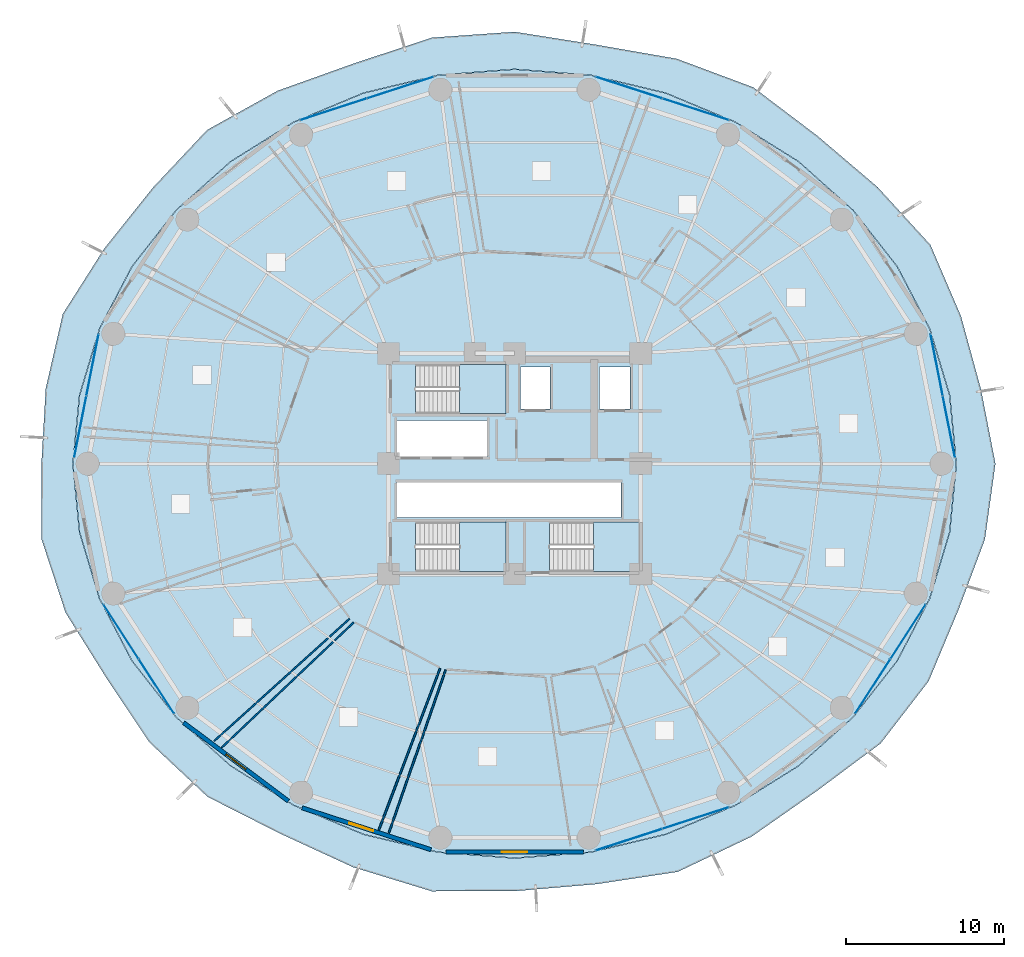
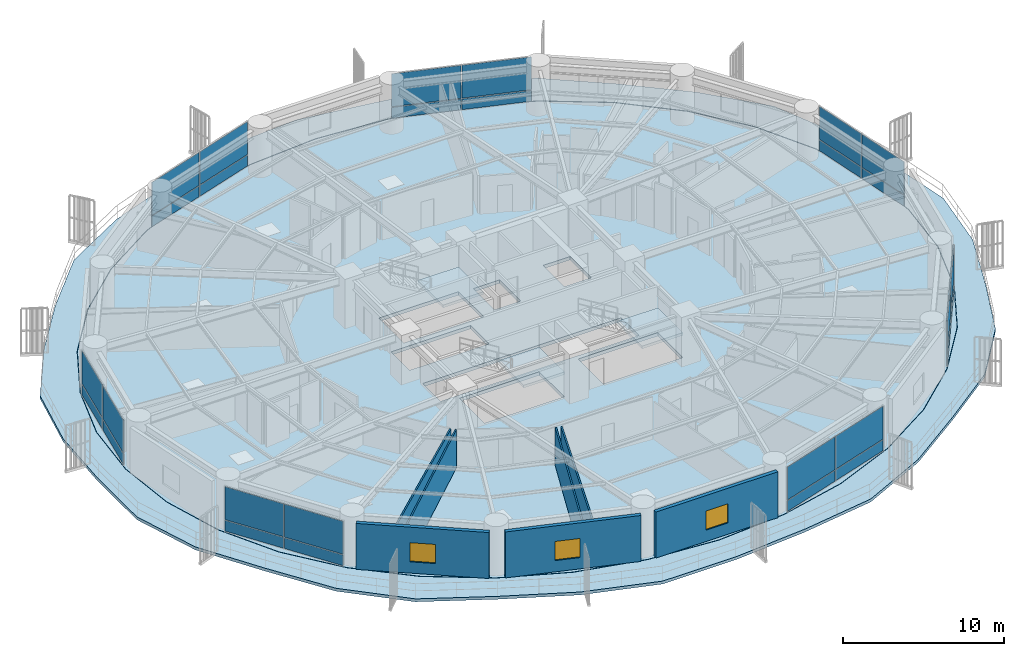
# One storey, part 22 of 32: 28 plates, 7 walls, 5 slabs, 3 windows, 3 openings, 10 elements without a shape of their own.
"""IFC4 building model written with IfcOpenShell, lengths in metres."""

import ifcopenshell
import ifcopenshell.guid

model = None  # the IFC model being written
_history = None  # IfcOwnerHistory: only IFC2X3 demands one
_inside = {}  # id of a spatial element -> (the spatial element, [elements in it])
_under = {}  # id of a project, library or spatial element -> (it, [spatial elements below it])
_declared = {}  # id of a project -> (the project, [libraries it declares])
_typed = {}  # id of a type object -> (the type object, [elements of that type])
_made_of = {}  # id of a material, layer set ... -> (it, [elements and type objects made of it])


def new_model(schema):
    """Start an empty IFC model of exactly this schema.

    Asked for "IFC4X3", IfcOpenShell would pick the latest addendum, in which some entities
    have other attributes; the version numbers below select the first issue.
    IFC2X3 requires an IfcOwnerHistory on every rooted entity: one is made here for all.
    """
    global model, _history
    if schema == "IFC4X3":
        model = ifcopenshell.file(schema_version=(4, 3, 0, 0))
    else:
        model = ifcopenshell.file(schema=schema)
    _inside.clear()
    _under.clear()
    _declared.clear()
    _typed.clear()
    _made_of.clear()
    _history = None
    if model.schema == "IFC2X3":
        org = make("IfcOrganization", Name="unknown")
        user = make(
            "IfcPersonAndOrganization",
            ThePerson=make("IfcPerson", FamilyName="unknown"),
            TheOrganization=org,
        )
        app = make(
            "IfcApplication",
            ApplicationDeveloper=org,
            Version="unknown",
            ApplicationFullName="unknown",
            ApplicationIdentifier="unknown",
        )
        _history = make(
            "IfcOwnerHistory",
            OwningUser=user,
            OwningApplication=app,
            ChangeAction="ADDED",
            CreationDate=0,
        )
    return model


def make(cls, **values):
    """One entity of the class cls with the attributes given. An attribute that is None is left unset."""
    return model.create_entity(
        cls, **{name: value for name, value in values.items() if value is not None}
    )


def rooted(cls, **values):
    """An entity with a GlobalId (a new one), such as an element, a storey or a relation."""
    return make(cls, GlobalId=ifcopenshell.guid.new(), OwnerHistory=_history, **values)


def si_unit(unit_type, name, prefix=None):
    """IfcSIUnit, for example si_unit("LENGTHUNIT", "METRE", prefix="MILLI")."""
    return make("IfcSIUnit", UnitType=unit_type, Prefix=prefix, Name=name)


def assignment(units):
    """IfcUnitAssignment: the units of a project."""
    return None if units is None else make("IfcUnitAssignment", Units=units)


def point(xyz):
    """IfcCartesianPoint."""
    return None if xyz is None else make("IfcCartesianPoint", Coordinates=xyz)


def direction(xyz):
    """IfcDirection."""
    return None if xyz is None else make("IfcDirection", DirectionRatios=xyz)


def frame(location, z_axis=None, x_axis=None):
    """IfcAxis2Placement3D, a coordinate frame: its origin and axes. An axis left out is left unset."""
    return make(
        "IfcAxis2Placement3D",
        Location=point(location),
        Axis=direction(z_axis),
        RefDirection=direction(x_axis),
    )


def frame_2d(location, x_axis=None):
    """IfcAxis2Placement2D, a coordinate frame in the plane: its origin and x axis."""
    return make(
        "IfcAxis2Placement2D", Location=point(location), RefDirection=direction(x_axis)
    )


def origin():
    """The frame at (0, 0, 0) with its axes left unset."""
    return frame((0.0, 0.0, 0.0))


def origin_2d():
    """The frame at (0, 0) in the plane with its x axis left unset."""
    return frame_2d((0.0, 0.0))


def place(relative_to, where):
    """IfcLocalPlacement: puts the frame where relative to a parent placement (None: the world)."""
    return make(
        "IfcLocalPlacement", PlacementRelTo=relative_to, RelativePlacement=where
    )


def context(
    kind, dimensions, precision=None, world=None, true_north=None, identifier=None
):
    """IfcGeometricRepresentationContext, for example the 3D "Model" context."""
    return make(
        "IfcGeometricRepresentationContext",
        ContextIdentifier=identifier,
        ContextType=kind,
        CoordinateSpaceDimension=dimensions,
        Precision=precision,
        WorldCoordinateSystem=world,
        TrueNorth=true_north,
    )


def subcontext(parent, identifier, kind, view, scale=None):
    """IfcGeometricRepresentationSubContext, for example "Body" below "Model"."""
    return make(
        "IfcGeometricRepresentationSubContext",
        ContextIdentifier=identifier,
        ContextType=kind,
        ParentContext=parent,
        TargetScale=scale,
        TargetView=view,
    )


def project(units=None, contexts=None):
    """IfcProject with its units and contexts."""
    return rooted(
        "IfcProject",
        Name="project",
        RepresentationContexts=contexts,
        UnitsInContext=assignment(units),
    )


def spatial(cls, under=None, at=None, **own):
    """A site, building, storey or space (cls), placed at a placement, below another one or the project."""
    s = rooted(cls, ObjectPlacement=at, **own)
    if under is not None:
        _under.setdefault(under.id(), (under, []))[1].append(s)
    return s


def polyline(points):
    """IfcPolyline through the points."""
    return make("IfcPolyline", Points=[point(p) for p in points])


def profile(cls, at=None, kind="AREA", **sizes):
    """A parametric profile (cls). Its sizes go by their IFC names, for example OverallWidth=200.0."""
    return make(cls, ProfileType=kind, Position=at, **sizes)


def rectangle(**sizes):
    """IfcRectangleProfileDef."""
    return profile("IfcRectangleProfileDef", **sizes)


def outline(outer, holes=None, kind="AREA"):
    """IfcArbitraryClosedProfileDef: a profile drawn as a closed curve; with holes, ...WithVoids."""
    if holes is None:
        return make("IfcArbitraryClosedProfileDef", ProfileType=kind, OuterCurve=outer)
    return make(
        "IfcArbitraryProfileDefWithVoids",
        ProfileType=kind,
        OuterCurve=outer,
        InnerCurves=holes,
    )


def extrude(swept, where, along, depth):
    """IfcExtrudedAreaSolid: the profile swept, set in the frame where, extruded along a direction by depth."""
    return make(
        "IfcExtrudedAreaSolid",
        SweptArea=swept,
        Position=where,
        ExtrudedDirection=direction(along),
        Depth=depth,
    )


def shape(context_of_items, identifier, shape_type, items):
    """IfcShapeRepresentation: the items that make up one representation, for example the "Body"."""
    return make(
        "IfcShapeRepresentation",
        ContextOfItems=context_of_items,
        RepresentationIdentifier=identifier,
        RepresentationType=shape_type,
        Items=items,
    )


def source(mapping_origin, context_of_items, identifier, shape_type, items):
    """IfcRepresentationMap: a shape defined once, which mapped items show again and again."""
    return make(
        "IfcRepresentationMap",
        MappingOrigin=mapping_origin,
        MappedRepresentation=shape(context_of_items, identifier, shape_type, items),
    )


def transform(
    local_origin,
    x_axis=None,
    y_axis=None,
    z_axis=None,
    scale=None,
    scale2=None,
    scale3=None,
    uniform=True,
):
    """IfcCartesianTransformationOperator3D, or its non-uniform kind. x_axis, y_axis, z_axis: its Axis1, 2, 3."""
    if uniform:
        return make(
            "IfcCartesianTransformationOperator3D",
            Axis1=direction(x_axis),
            Axis2=direction(y_axis),
            LocalOrigin=point(local_origin),
            Scale=scale,
            Axis3=direction(z_axis),
        )
    return make(
        "IfcCartesianTransformationOperator3DnonUniform",
        Axis1=direction(x_axis),
        Axis2=direction(y_axis),
        LocalOrigin=point(local_origin),
        Scale=scale,
        Axis3=direction(z_axis),
        Scale2=scale2,
        Scale3=scale3,
    )


def mapped(mapping_source, mapping_target):
    """IfcMappedItem: shows the shape of a source again, moved by a transform."""
    return make(
        "IfcMappedItem", MappingSource=mapping_source, MappingTarget=mapping_target
    )


def material(Name=None, Category=None):
    """IfcMaterial."""
    return make("IfcMaterial", Name=Name, Category=Category)


def layer(
    of_material, thickness, ventilated=None, Name=None, Category=None, Priority=None
):
    """IfcMaterialLayer: one layer of a wall or slab, of a material (None: an air gap)."""
    return make(
        "IfcMaterialLayer",
        Material=of_material,
        LayerThickness=thickness,
        IsVentilated=ventilated,
        Name=Name,
        Category=Category,
        Priority=Priority,
    )


def layer_set(layers, Name=None):
    """IfcMaterialLayerSet."""
    return make("IfcMaterialLayerSet", MaterialLayers=layers, LayerSetName=Name)


def made_of(thing, what):
    """Note that an element or type object is made of a material, layer set ...; save() writes the relation."""
    if what is not None:
        _made_of.setdefault(what.id(), (what, []))[1].append(thing)
    return thing


def type_object(cls, material=None, **own):
    """A type object (cls), such as IfcWallType, which elements share."""
    return made_of(rooted(cls, **own), material)


def element(
    cls,
    number,
    at=None,
    inside=None,
    cuts=None,
    type_object=None,
    material=None,
    context=None,
    identifier="Body",
    shape_type=None,
    held_by="IfcProductDefinitionShape",
    body=None,
    shapes=None,
    **own,
):
    """One element of the class cls, such as IfcWall. Its Tag is "e" and its number.

    at: its placement. inside: the storey or other place that contains it. cuts: it is an
    opening in that element (IfcRelVoidsElement). A single representation is given by context,
    identifier, shape_type and body (its items); several are given by shapes. held_by: the class
    of the entity that holds the representations. save() writes the other relations.
    """
    e = rooted(cls, Tag="e%d" % number, ObjectPlacement=at, **own)
    if body is not None:
        shapes = [shape(context, identifier, shape_type, body)]
    if shapes is not None:
        e.Representation = make(held_by, Representations=shapes)
    if inside is not None:
        _inside.setdefault(inside.id(), (inside, []))[1].append(e)
    if cuts is not None:
        rooted(
            "IfcRelVoidsElement", RelatingBuildingElement=cuts, RelatedOpeningElement=e
        )
    if type_object is not None:
        _typed.setdefault(type_object.id(), (type_object, []))[1].append(e)
    return made_of(e, material)


def fill(opening, filler):
    """IfcRelFillsElement: the door or window that sits in an opening."""
    return rooted(
        "IfcRelFillsElement",
        RelatingOpeningElement=opening,
        RelatedBuildingElement=filler,
    )


def aggregate(whole, parts):
    """IfcRelAggregates: a whole, such as a stair, and the parts it consists of."""
    return rooted("IfcRelAggregates", RelatingObject=whole, RelatedObjects=parts)


def save(model, path):
    """Write the relations noted so far, then the file.

    IfcRelAggregates (storeys below a building ...), IfcRelContainedInSpatialStructure (elements
    in a storey), IfcRelDefinesByType, IfcRelAssociatesMaterial and IfcRelDeclares: one each for
    every whole, place, type object, material and project.
    """
    for whole, parts in _under.values():
        aggregate(whole, parts)
    for where, things in _inside.values():
        rooted(
            "IfcRelContainedInSpatialStructure",
            RelatedElements=things,
            RelatingStructure=where,
        )
    for kind, things in _typed.values():
        rooted("IfcRelDefinesByType", RelatedObjects=things, RelatingType=kind)
    for what, things in _made_of.values():
        rooted("IfcRelAssociatesMaterial", RelatedObjects=things, RelatingMaterial=what)
    for by, libraries in _declared.values():
        rooted("IfcRelDeclares", RelatingContext=by, RelatedDefinitions=libraries)
    model.write(path)


model = new_model("IFC4")

# Units and contexts
model_context = context("Model", 3, precision=1e-05, world=origin(), true_north=direction((0.0, 1.0)))
body_context = subcontext(model_context, "Body", "Model", "MODEL_VIEW")
ifc_project = project(units=[si_unit("LENGTHUNIT", "METRE"), si_unit("AREAUNIT", "SQUARE_METRE"), si_unit("VOLUMEUNIT", "CUBIC_METRE"), si_unit("PLANEANGLEUNIT", "RADIAN"), si_unit("MASSUNIT", "GRAM", prefix="KILO")], contexts=[model_context])

# Site, building, storey
site_placement = place(None, origin())
site = spatial("IfcSite", under=ifc_project, at=site_placement, CompositionType="ELEMENT")
building_placement = place(site_placement, origin())
building = spatial("IfcBuilding", under=site, at=building_placement, Name="Kelanora Arch Commons", CompositionType="ELEMENT")
storey_placement = place(building_placement, frame((0.0, 0.0, 60.0)))
storey = spatial("IfcBuildingStorey", under=building, at=storey_placement, Name="L15", CompositionType="ELEMENT", Elevation=60.0)

# Stair, slab
ifc_material_1 = material(Name="Concrete C40/50", Category="concrete")
stair_type = type_object("IfcStairType", Name="STR-DL-375", PredefinedType="HALF_TURN_STAIR", material=ifc_material_1)
stair_1_placement = place(storey_placement, origin())
stair_1 = element("IfcStair", 1, at=stair_1_placement, inside=storey, type_object=stair_type, Name="L15 ST-T1", PredefinedType="HALF_TURN_STAIR")
ifc_layer_1 = layer(ifc_material_1, 0.199951171875)
ifc_layer_set_1 = layer_set([ifc_layer_1], Name="Concrete C40/50")
slab_type_1 = type_object("IfcSlabType", Name="SLB-STAIR-LND", PredefinedType="LANDING", material=ifc_layer_set_1)
slab_1_placement = place(storey_placement, frame((0.0, 0.0, 1.675048828125)))
slab_1 = element("IfcSlab", 2, at=slab_1_placement, type_object=slab_type_1, Name="ST-T1 landing 1", PredefinedType="LANDING", context=body_context, shape_type="SweptSolid", body=[
    extrude(outline(polyline([(70.52001953125, 61.179931640625), (73.43994140625, 61.179931640625), (73.43994140625, 64.2900390625), (70.52001953125, 64.2900390625), (70.52001953125, 61.179931640625)])), origin(), (0.0, 0.0, 1.0), 0.199951171875),
])
aggregate(stair_1, [slab_1])

stair_2_placement = place(storey_placement, origin())
stair_2 = element("IfcStair", 3, at=stair_2_placement, inside=storey, type_object=stair_type, Name="L15 ST-T2", PredefinedType="HALF_TURN_STAIR")
slab_2_placement = place(storey_placement, frame((0.0, 0.0, 1.675048828125)))
slab_2 = element("IfcSlab", 4, at=slab_2_placement, type_object=slab_type_1, Name="ST-T2 landing 1", PredefinedType="LANDING", context=body_context, shape_type="SweptSolid", body=[
    extrude(outline(polyline([(79.0, 51.179931640625), (81.919921875, 51.179931640625), (81.919921875, 54.2900390625), (79.0, 54.2900390625), (79.0, 51.179931640625)])), origin(), (0.0, 0.0, 1.0), 0.199951171875),
])
aggregate(stair_2, [slab_2])

stair_3_placement = place(storey_placement, origin())
stair_3 = element("IfcStair", 5, at=stair_3_placement, inside=storey, type_object=stair_type, Name="L15 ST-T3", PredefinedType="HALF_TURN_STAIR")
slab_3_placement = place(storey_placement, frame((0.0, 0.0, 1.675048828125)))
slab_3 = element("IfcSlab", 6, at=slab_3_placement, type_object=slab_type_1, Name="ST-T3 landing 1", PredefinedType="LANDING", context=body_context, shape_type="SweptSolid", body=[
    extrude(outline(polyline([(70.52001953125, 51.179931640625), (73.43994140625, 51.179931640625), (73.43994140625, 54.2900390625), (70.52001953125, 54.2900390625), (70.52001953125, 51.179931640625)])), origin(), (0.0, 0.0, 1.0), 0.199951171875),
])
aggregate(stair_3, [slab_3])

# Slabs
ifc_layer_2 = layer(ifc_material_1, 0.260009765625)
ifc_layer_set_2 = layer_set([ifc_layer_2], Name="Concrete C40/50")
slab_type_2 = type_object("IfcSlabType", Name="SLB-TWR-TYP", PredefinedType="FLOOR", material=ifc_layer_set_2)
slab_4_placement = place(storey_placement, frame((0.0, 0.0, -0.260009765625)))
element("IfcSlab", 7, at=slab_4_placement, inside=storey, type_object=slab_type_2, Name="Tower Floor Slab L15", PredefinedType="FLOOR", context=body_context, shape_type="SweptSolid", body=[
    extrude(outline(polyline([(102.0, 58.0), (101.57470703125, 62.34130859375), (100.311279296875, 66.550537109375), (98.248779296875, 70.5), (95.44921875, 74.069580078125), (91.998046875, 77.151123046875), (88.0, 79.650634765625), (83.57666015625, 81.4921875), (78.862060546875, 82.6201171875), (74.0, 83.0), (69.137939453125, 82.6201171875), (64.42333984375, 81.4921875), (60.0, 79.650634765625), (56.001953125, 77.151123046875), (52.55078125, 74.069580078125), (49.751220703125, 70.5), (47.688720703125, 66.550537109375), (46.42529296875, 62.34130859375), (46.0, 58.0), (46.42529296875, 53.65869140625), (47.688720703125, 49.449462890625), (49.751220703125, 45.5), (52.55078125, 41.930419921875), (56.001953125, 38.848876953125), (60.0, 36.349365234375), (64.42333984375, 34.5078125), (69.137939453125, 33.3798828125), (74.0, 33.0), (78.862060546875, 33.3798828125), (83.57666015625, 34.5078125), (88.0, 36.349365234375), (91.998046875, 38.848876953125), (95.44921875, 41.930419921875), (98.248779296875, 45.5), (100.311279296875, 49.449462890625), (101.57470703125, 53.65869140625), (102.0, 58.0)]), holes=[polyline([(73.431884765625, 51.18798828125), (67.72802734375, 51.18798828125), (67.72802734375, 54.281982421875), (73.431884765625, 54.281982421875), (73.431884765625, 51.18798828125)]), polyline([(76.2080078125, 51.18798828125), (76.2080078125, 54.281982421875), (81.912109375, 54.281982421875), (81.912109375, 51.18798828125), (76.2080078125, 51.18798828125)]), polyline([(66.550048828125, 54.60009765625), (66.550048828125, 56.800048828125), (80.75, 56.800048828125), (80.75, 54.60009765625), (66.550048828125, 54.60009765625)]), polyline([(66.550048828125, 58.449951171875), (66.550048828125, 60.75), (72.25, 60.75), (72.25, 58.449951171875), (66.550048828125, 58.449951171875)]), polyline([(67.72802734375, 61.18798828125), (67.72802734375, 64.281982421875), (73.431884765625, 64.281982421875), (73.431884765625, 61.18798828125), (67.72802734375, 61.18798828125)]), polyline([(74.3798828125, 61.47998046875), (74.3798828125, 64.1201171875), (76.260009765625, 64.1201171875), (76.260009765625, 61.47998046875), (74.3798828125, 61.47998046875)]), polyline([(79.3798828125, 61.47998046875), (79.3798828125, 64.1201171875), (81.320068359375, 64.1201171875), (81.320068359375, 61.47998046875), (79.3798828125, 61.47998046875)])]), origin(), (0.0, 0.0, 1.0), 0.260009765625),
])
ifc_layer_3 = layer(ifc_material_1, 0.219970703125)
ifc_layer_set_3 = layer_set([ifc_layer_3], Name="Concrete C40/50")
slab_type_3 = type_object("IfcSlabType", Name="SLB-WAVE-BAL", PredefinedType="FLOOR", material=ifc_layer_set_3)
slab_5_placement = place(storey_placement, frame((0.0, 0.0, -0.219970703125)))
element("IfcSlab", 8, at=slab_5_placement, inside=storey, type_object=slab_type_3, Name="Sinusoidal Wave Balcony Slab L15", PredefinedType="FLOOR", context=body_context, shape_type="SweptSolid", body=[
    extrude(outline(polyline([(104.487548828125, 58.0), (103.566650390625, 62.734619140625), (102.301513671875, 67.36181640625), (100.368896484375, 71.87109375), (97.015380859375, 75.54150390625), (93.215576171875, 78.776123046875), (89.139892578125, 81.861572265625), (84.285400390625, 83.673583984375), (79.16845703125, 84.5654296875), (74.0, 85.385009765625), (68.7607421875, 85.015625), (63.810791015625, 83.377197265625), (58.971435546875, 81.64599609375), (54.498046875, 79.158447265625), (51.0458984375, 75.48388671875), (47.983642578125, 71.64306640625), (45.3544921875, 67.502197265625), (44.2705078125, 62.7666015625), (43.99755859375, 58.0), (44.012451171875, 53.182373046875), (45.52099609375, 48.56591796875), (48.101318359375, 44.43310546875), (50.844970703125, 40.327392578125), (54.52734375, 36.880615234375), (59.08251953125, 34.5693359375), (63.74462890625, 32.418701171875), (68.745849609375, 30.8896484375), (74.0, 30.89501953125), (79.183349609375, 31.33984375), (84.351806640625, 32.122314453125), (89.028564453125, 34.35400390625), (93.186279296875, 37.2626953125), (97.21630859375, 40.26953125), (100.25146484375, 44.204833984375), (102.135009765625, 48.7060546875), (103.82470703125, 53.21435546875), (104.487548828125, 58.0)]), holes=[polyline([(101.59423828125, 53.6552734375), (100.330078125, 49.442626953125), (98.26611328125, 45.489990234375), (95.464599609375, 41.91748046875), (92.010986328125, 38.83349609375), (88.010009765625, 36.33203125), (83.58349609375, 34.489013671875), (78.865478515625, 33.360107421875), (74.0, 32.97998046875), (69.134521484375, 33.360107421875), (64.41650390625, 34.489013671875), (59.989990234375, 36.33203125), (55.989013671875, 38.83349609375), (52.535400390625, 41.91748046875), (49.73388671875, 45.489990234375), (47.669921875, 49.442626953125), (46.40576171875, 53.6552734375), (45.97998046875, 58.0), (46.40576171875, 62.3447265625), (47.669921875, 66.557373046875), (49.73388671875, 70.510009765625), (52.535400390625, 74.08251953125), (55.989013671875, 77.16650390625), (59.989990234375, 79.66796875), (64.41650390625, 81.510986328125), (69.134521484375, 82.639892578125), (74.0, 83.02001953125), (78.865478515625, 82.639892578125), (83.58349609375, 81.510986328125), (88.010009765625, 79.66796875), (92.010986328125, 77.16650390625), (95.464599609375, 74.08251953125), (98.26611328125, 70.510009765625), (100.330078125, 66.557373046875), (101.59423828125, 62.3447265625), (102.02001953125, 58.0), (101.59423828125, 53.6552734375)])]), origin(), (0.0, 0.0, 1.0), 0.219970703125),
])

# Curtain wall, plates
ifc_material_2 = material(Name="Terracotta ceramic-fritted low-E glass and aluminium", Category="masonry")
ifc_layer_4 = layer(ifc_material_2, 0.159912109375)
ifc_layer_set_4 = layer_set([ifc_layer_4], Name="Terracotta ceramic-fritted low-E glass and aluminium")
curtain_wall_type = type_object("IfcCurtainWallType", Name="CW-SYS-01", PredefinedType="NOTDEFINED", material=ifc_layer_set_4)
curtain_wall_1_placement = place(storey_placement, origin())
curtain_wall_1 = element("IfcCurtainWall", 9, at=curtain_wall_1_placement, inside=storey, type_object=curtain_wall_type, Name="Unitised Curtain Wall L15-B00", PredefinedType="NOTDEFINED")
ifc_material_3 = material(Name="Terracotta ceramic-fritted double glazing", Category="masonry")
ifc_layer_5 = layer(ifc_material_3, 0.028076171875)
ifc_layer_set_5 = layer_set([ifc_layer_5], Name="Terracotta ceramic-fritted double glazing")
plate_type = type_object("IfcPlateType", Name="CWP-FRIT", PredefinedType="CURTAIN_PANEL", material=ifc_layer_set_5)
shared_shape_1 = source(origin(), body_context, "Body", "SweptSolid", [
    extrude(rectangle(XDim=3.9482421875, YDim=0.028076171875, at=origin_2d()), origin(), (0.0, 0.0, 1.0), 0.81005859375),
])
plate_1_placement = place(storey_placement, frame((101.536865234375, 60.34521484375, 0.06005859375), z_axis=(0.0, 0.0, 1.0), x_axis=(-0.193744048498, 0.981052110579, 0.0)))
plate_1 = element("IfcPlate", 10, at=plate_1_placement, type_object=plate_type, Name="CW-01 panel 1.1", PredefinedType="CURTAIN_PANEL", context=body_context, shape_type="MappedRepresentation", body=[
    mapped(shared_shape_1, transform((0.0, 0.0, 0.0), scale=1.0)),
])
plate_2_placement = place(storey_placement, frame((100.76025390625, 64.277587890625, 0.06005859375), z_axis=(0.0, 0.0, 1.0), x_axis=(-0.193744048498, 0.981052110579, 0.0)))
plate_2 = element("IfcPlate", 11, at=plate_2_placement, type_object=plate_type, Name="CW-01 panel 2.1", PredefinedType="CURTAIN_PANEL", context=body_context, shape_type="MappedRepresentation", body=[
    mapped(shared_shape_1, transform((0.0, 0.0, 0.0), scale=1.0)),
])

curtain_wall_2_placement = place(storey_placement, origin())
curtain_wall_2 = element("IfcCurtainWall", 12, at=curtain_wall_2_placement, inside=storey, type_object=curtain_wall_type, Name="Unitised Curtain Wall L15-B08", PredefinedType="NOTDEFINED")
plate_3_placement = place(storey_placement, frame((47.23974609375, 64.277587890625, 0.06005859375), z_axis=(0.0, 0.0, 1.0), x_axis=(-0.193744048498, -0.981052110579, 0.0)))
plate_3 = element("IfcPlate", 13, at=plate_3_placement, type_object=plate_type, Name="CW-01 panel 1.1", PredefinedType="CURTAIN_PANEL", context=body_context, shape_type="MappedRepresentation", body=[
    mapped(shared_shape_1, transform((0.0, 0.0, 0.0), scale=1.0)),
])
plate_4_placement = place(storey_placement, frame((46.463134765625, 60.34521484375, 0.06005859375), z_axis=(0.0, 0.0, 1.0), x_axis=(-0.193744048498, -0.981052110579, 0.0)))
plate_4 = element("IfcPlate", 14, at=plate_4_placement, type_object=plate_type, Name="CW-01 panel 2.1", PredefinedType="CURTAIN_PANEL", context=body_context, shape_type="MappedRepresentation", body=[
    mapped(shared_shape_1, transform((0.0, 0.0, 0.0), scale=1.0)),
])

# Plate
shared_shape_2 = source(origin(), body_context, "Body", "SweptSolid", [
    extrude(rectangle(XDim=3.9482421875, YDim=0.028076171875, at=origin_2d()), origin(), (0.0, 0.0, 1.0), 2.485107421875),
])
plate_5_placement = place(storey_placement, frame((101.536865234375, 60.34521484375, 0.93017578125), z_axis=(0.0, 0.0, 1.0), x_axis=(-0.193744048498, 0.981052110579, 0.0)))
plate_5 = element("IfcPlate", 15, at=plate_5_placement, type_object=plate_type, Name="CW-01 panel 1.2", PredefinedType="CURTAIN_PANEL", context=body_context, shape_type="MappedRepresentation", body=[
    mapped(shared_shape_2, transform((0.0, 0.0, 0.0), scale=1.0)),
])

plate_6_placement = place(storey_placement, frame((100.76025390625, 64.277587890625, 0.93017578125), z_axis=(0.0, 0.0, 1.0), x_axis=(-0.193744048498, 0.981052110579, 0.0)))
plate_6 = element("IfcPlate", 16, at=plate_6_placement, type_object=plate_type, Name="CW-01 panel 2.2", PredefinedType="CURTAIN_PANEL", context=body_context, shape_type="MappedRepresentation", body=[
    mapped(shared_shape_2, transform((0.0, 0.0, 0.0), scale=1.0)),
])

aggregate(curtain_wall_1, [plate_1, plate_5, plate_2, plate_6])

plate_7_placement = place(storey_placement, frame((47.23974609375, 64.277587890625, 0.93017578125), z_axis=(0.0, 0.0, 1.0), x_axis=(-0.193744048498, -0.981052110579, 0.0)))
plate_7 = element("IfcPlate", 17, at=plate_7_placement, type_object=plate_type, Name="CW-01 panel 1.2", PredefinedType="CURTAIN_PANEL", context=body_context, shape_type="MappedRepresentation", body=[
    mapped(shared_shape_2, transform((0.0, 0.0, 0.0), scale=1.0)),
])

plate_8_placement = place(storey_placement, frame((46.463134765625, 60.34521484375, 0.93017578125), z_axis=(0.0, 0.0, 1.0), x_axis=(-0.193744048498, -0.981052110579, 0.0)))
plate_8 = element("IfcPlate", 18, at=plate_8_placement, type_object=plate_type, Name="CW-01 panel 2.2", PredefinedType="CURTAIN_PANEL", context=body_context, shape_type="MappedRepresentation", body=[
    mapped(shared_shape_2, transform((0.0, 0.0, 0.0), scale=1.0)),
])

aggregate(curtain_wall_2, [plate_3, plate_7, plate_4, plate_8])

# Curtain wall, plates
curtain_wall_3_placement = place(storey_placement, origin())
curtain_wall_3 = element("IfcCurtainWall", 19, at=curtain_wall_3_placement, inside=storey, type_object=curtain_wall_type, Name="Unitised Curtain Wall L15-B03", PredefinedType="NOTDEFINED")
shared_shape_3 = source(origin(), body_context, "Body", "SweptSolid", [
    extrude(rectangle(XDim=4.39453125, YDim=0.028076171875, at=origin_2d()), origin(), (0.0, 0.0, 1.0), 0.81005859375),
])
plate_9_placement = place(storey_placement, frame((85.4892578125, 80.466552734375, 0.06005859375), z_axis=(0.0, 0.0, 1.0), x_axis=(-0.951043326793, 0.30905758454, 0.0)))
plate_9 = element("IfcPlate", 20, at=plate_9_placement, type_object=plate_type, Name="CW-01 panel 1.1", PredefinedType="CURTAIN_PANEL", context=body_context, shape_type="MappedRepresentation", body=[
    mapped(shared_shape_3, transform((0.0, 0.0, 0.0), scale=1.0)),
])
plate_10_placement = place(storey_placement, frame((81.252685546875, 81.84326171875, 0.06005859375), z_axis=(0.0, 0.0, 1.0), x_axis=(-0.951043326793, 0.30905758454, 0.0)))
plate_10 = element("IfcPlate", 21, at=plate_10_placement, type_object=plate_type, Name="CW-01 panel 2.1", PredefinedType="CURTAIN_PANEL", context=body_context, shape_type="MappedRepresentation", body=[
    mapped(shared_shape_3, transform((0.0, 0.0, 0.0), scale=1.0)),
])

curtain_wall_4_placement = place(storey_placement, origin())
curtain_wall_4 = element("IfcCurtainWall", 22, at=curtain_wall_4_placement, inside=storey, type_object=curtain_wall_type, Name="Unitised Curtain Wall L15-B05", PredefinedType="NOTDEFINED")
plate_11_placement = place(storey_placement, frame((66.747314453125, 81.84326171875, 0.06005859375), z_axis=(0.0, 0.0, 1.0), x_axis=(-0.951043326793, -0.30905758454, 0.0)))
plate_11 = element("IfcPlate", 23, at=plate_11_placement, type_object=plate_type, Name="CW-01 panel 1.1", PredefinedType="CURTAIN_PANEL", context=body_context, shape_type="MappedRepresentation", body=[
    mapped(shared_shape_3, transform((0.0, 0.0, 0.0), scale=1.0)),
])
plate_12_placement = place(storey_placement, frame((62.5107421875, 80.466552734375, 0.06005859375), z_axis=(0.0, 0.0, 1.0), x_axis=(-0.951043326793, -0.30905758454, 0.0)))
plate_12 = element("IfcPlate", 24, at=plate_12_placement, type_object=plate_type, Name="CW-01 panel 2.1", PredefinedType="CURTAIN_PANEL", context=body_context, shape_type="MappedRepresentation", body=[
    mapped(shared_shape_3, transform((0.0, 0.0, 0.0), scale=1.0)),
])

curtain_wall_5_placement = place(storey_placement, origin())
curtain_wall_5 = element("IfcCurtainWall", 25, at=curtain_wall_5_placement, inside=storey, type_object=curtain_wall_type, Name="Unitised Curtain Wall L15-B14", PredefinedType="NOTDEFINED")
plate_13_placement = place(storey_placement, frame((81.252685546875, 34.15673828125, 0.06005859375), z_axis=(0.0, 0.0, 1.0), x_axis=(0.951043326793, 0.30905758454, 0.0)))
plate_13 = element("IfcPlate", 26, at=plate_13_placement, type_object=plate_type, Name="CW-01 panel 1.1", PredefinedType="CURTAIN_PANEL", context=body_context, shape_type="MappedRepresentation", body=[
    mapped(shared_shape_3, transform((0.0, 0.0, 0.0), scale=1.0)),
])
plate_14_placement = place(storey_placement, frame((85.4892578125, 35.533447265625, 0.06005859375), z_axis=(0.0, 0.0, 1.0), x_axis=(0.951043326793, 0.30905758454, 0.0)))
plate_14 = element("IfcPlate", 27, at=plate_14_placement, type_object=plate_type, Name="CW-01 panel 2.1", PredefinedType="CURTAIN_PANEL", context=body_context, shape_type="MappedRepresentation", body=[
    mapped(shared_shape_3, transform((0.0, 0.0, 0.0), scale=1.0)),
])

# Plate
shared_shape_4 = source(origin(), body_context, "Body", "SweptSolid", [
    extrude(rectangle(XDim=4.39453125, YDim=0.028076171875, at=origin_2d()), origin(), (0.0, 0.0, 1.0), 2.485107421875),
])
plate_15_placement = place(storey_placement, frame((85.4892578125, 80.466552734375, 0.93017578125), z_axis=(0.0, 0.0, 1.0), x_axis=(-0.951043326793, 0.30905758454, 0.0)))
plate_15 = element("IfcPlate", 28, at=plate_15_placement, type_object=plate_type, Name="CW-01 panel 1.2", PredefinedType="CURTAIN_PANEL", context=body_context, shape_type="MappedRepresentation", body=[
    mapped(shared_shape_4, transform((0.0, 0.0, 0.0), scale=1.0)),
])

plate_16_placement = place(storey_placement, frame((81.252685546875, 81.84326171875, 0.93017578125), z_axis=(0.0, 0.0, 1.0), x_axis=(-0.951043326793, 0.30905758454, 0.0)))
plate_16 = element("IfcPlate", 29, at=plate_16_placement, type_object=plate_type, Name="CW-01 panel 2.2", PredefinedType="CURTAIN_PANEL", context=body_context, shape_type="MappedRepresentation", body=[
    mapped(shared_shape_4, transform((0.0, 0.0, 0.0), scale=1.0)),
])

aggregate(curtain_wall_3, [plate_9, plate_15, plate_10, plate_16])

plate_17_placement = place(storey_placement, frame((66.747314453125, 81.84326171875, 0.93017578125), z_axis=(0.0, 0.0, 1.0), x_axis=(-0.951043326793, -0.30905758454, 0.0)))
plate_17 = element("IfcPlate", 30, at=plate_17_placement, type_object=plate_type, Name="CW-01 panel 1.2", PredefinedType="CURTAIN_PANEL", context=body_context, shape_type="MappedRepresentation", body=[
    mapped(shared_shape_4, transform((0.0, 0.0, 0.0), scale=1.0)),
])

plate_18_placement = place(storey_placement, frame((62.5107421875, 80.466552734375, 0.93017578125), z_axis=(0.0, 0.0, 1.0), x_axis=(-0.951043326793, -0.30905758454, 0.0)))
plate_18 = element("IfcPlate", 31, at=plate_18_placement, type_object=plate_type, Name="CW-01 panel 2.2", PredefinedType="CURTAIN_PANEL", context=body_context, shape_type="MappedRepresentation", body=[
    mapped(shared_shape_4, transform((0.0, 0.0, 0.0), scale=1.0)),
])

aggregate(curtain_wall_4, [plate_11, plate_17, plate_12, plate_18])

plate_19_placement = place(storey_placement, frame((81.252685546875, 34.15673828125, 0.93017578125), z_axis=(0.0, 0.0, 1.0), x_axis=(0.951043326793, 0.30905758454, 0.0)))
plate_19 = element("IfcPlate", 32, at=plate_19_placement, type_object=plate_type, Name="CW-01 panel 1.2", PredefinedType="CURTAIN_PANEL", context=body_context, shape_type="MappedRepresentation", body=[
    mapped(shared_shape_4, transform((0.0, 0.0, 0.0), scale=1.0)),
])

plate_20_placement = place(storey_placement, frame((85.4892578125, 35.533447265625, 0.93017578125), z_axis=(0.0, 0.0, 1.0), x_axis=(0.951043326793, 0.30905758454, 0.0)))
plate_20 = element("IfcPlate", 33, at=plate_20_placement, type_object=plate_type, Name="CW-01 panel 2.2", PredefinedType="CURTAIN_PANEL", context=body_context, shape_type="MappedRepresentation", body=[
    mapped(shared_shape_4, transform((0.0, 0.0, 0.0), scale=1.0)),
])

aggregate(curtain_wall_5, [plate_13, plate_19, plate_14, plate_20])

# Curtain wall, plates
curtain_wall_6_placement = place(storey_placement, origin())
curtain_wall_6 = element("IfcCurtainWall", 34, at=curtain_wall_6_placement, inside=storey, type_object=curtain_wall_type, Name="Unitised Curtain Wall L15-B10", PredefinedType="NOTDEFINED")
shared_shape_5 = source(origin(), body_context, "Body", "SweptSolid", [
    extrude(rectangle(XDim=4.06787109375, YDim=0.028076171875, at=origin_2d()), origin(), (0.0, 0.0, 1.0), 0.81005859375),
])
plate_21_placement = place(storey_placement, frame((49.04833984375, 47.346435546875, 0.06005859375), z_axis=(0.0, 0.0, 1.0), x_axis=(0.543004441812, -0.83972982332, 0.0)))
plate_21 = element("IfcPlate", 35, at=plate_21_placement, type_object=plate_type, Name="CW-01 panel 1.1", PredefinedType="CURTAIN_PANEL", context=body_context, shape_type="MappedRepresentation", body=[
    mapped(shared_shape_5, transform((0.0, 0.0, 0.0), scale=1.0)),
])
plate_22_placement = place(storey_placement, frame((51.289794921875, 43.880126953125, 0.06005859375), z_axis=(0.0, 0.0, 1.0), x_axis=(0.543004441812, -0.83972982332, 0.0)))
plate_22 = element("IfcPlate", 36, at=plate_22_placement, type_object=plate_type, Name="CW-01 panel 2.1", PredefinedType="CURTAIN_PANEL", context=body_context, shape_type="MappedRepresentation", body=[
    mapped(shared_shape_5, transform((0.0, 0.0, 0.0), scale=1.0)),
])

curtain_wall_7_placement = place(storey_placement, origin())
curtain_wall_7 = element("IfcCurtainWall", 37, at=curtain_wall_7_placement, inside=storey, type_object=curtain_wall_type, Name="Unitised Curtain Wall L15-B16", PredefinedType="NOTDEFINED")
plate_23_placement = place(storey_placement, frame((96.710205078125, 43.880126953125, 0.06005859375), z_axis=(0.0, 0.0, 1.0), x_axis=(0.543004441812, 0.83972982332, 0.0)))
plate_23 = element("IfcPlate", 38, at=plate_23_placement, type_object=plate_type, Name="CW-01 panel 1.1", PredefinedType="CURTAIN_PANEL", context=body_context, shape_type="MappedRepresentation", body=[
    mapped(shared_shape_5, transform((0.0, 0.0, 0.0), scale=1.0)),
])
plate_24_placement = place(storey_placement, frame((98.95166015625, 47.346435546875, 0.06005859375), z_axis=(0.0, 0.0, 1.0), x_axis=(0.543004441812, 0.83972982332, 0.0)))
plate_24 = element("IfcPlate", 39, at=plate_24_placement, type_object=plate_type, Name="CW-01 panel 2.1", PredefinedType="CURTAIN_PANEL", context=body_context, shape_type="MappedRepresentation", body=[
    mapped(shared_shape_5, transform((0.0, 0.0, 0.0), scale=1.0)),
])

# Plate
shared_shape_6 = source(origin(), body_context, "Body", "SweptSolid", [
    extrude(rectangle(XDim=4.06787109375, YDim=0.028076171875, at=origin_2d()), origin(), (0.0, 0.0, 1.0), 2.485107421875),
])
plate_25_placement = place(storey_placement, frame((49.04833984375, 47.346435546875, 0.93017578125), z_axis=(0.0, 0.0, 1.0), x_axis=(0.543004441812, -0.83972982332, 0.0)))
plate_25 = element("IfcPlate", 40, at=plate_25_placement, type_object=plate_type, Name="CW-01 panel 1.2", PredefinedType="CURTAIN_PANEL", context=body_context, shape_type="MappedRepresentation", body=[
    mapped(shared_shape_6, transform((0.0, 0.0, 0.0), scale=1.0)),
])

plate_26_placement = place(storey_placement, frame((51.289794921875, 43.880126953125, 0.93017578125), z_axis=(0.0, 0.0, 1.0), x_axis=(0.543004441812, -0.83972982332, 0.0)))
plate_26 = element("IfcPlate", 41, at=plate_26_placement, type_object=plate_type, Name="CW-01 panel 2.2", PredefinedType="CURTAIN_PANEL", context=body_context, shape_type="MappedRepresentation", body=[
    mapped(shared_shape_6, transform((0.0, 0.0, 0.0), scale=1.0)),
])

aggregate(curtain_wall_6, [plate_21, plate_25, plate_22, plate_26])

plate_27_placement = place(storey_placement, frame((96.710205078125, 43.880126953125, 0.93017578125), z_axis=(0.0, 0.0, 1.0), x_axis=(0.543004441812, 0.83972982332, 0.0)))
plate_27 = element("IfcPlate", 42, at=plate_27_placement, type_object=plate_type, Name="CW-01 panel 1.2", PredefinedType="CURTAIN_PANEL", context=body_context, shape_type="MappedRepresentation", body=[
    mapped(shared_shape_6, transform((0.0, 0.0, 0.0), scale=1.0)),
])

plate_28_placement = place(storey_placement, frame((98.95166015625, 47.346435546875, 0.93017578125), z_axis=(0.0, 0.0, 1.0), x_axis=(0.543004441812, 0.83972982332, 0.0)))
plate_28 = element("IfcPlate", 43, at=plate_28_placement, type_object=plate_type, Name="CW-01 panel 2.2", PredefinedType="CURTAIN_PANEL", context=body_context, shape_type="MappedRepresentation", body=[
    mapped(shared_shape_6, transform((0.0, 0.0, 0.0), scale=1.0)),
])

aggregate(curtain_wall_7, [plate_23, plate_27, plate_24, plate_28])

# Wall, opening, window
ifc_material_4 = material(Name="Precast concrete C40/50 with terracotta rainscreen", Category="masonry")
ifc_layer_6 = layer(ifc_material_4, 0.260009765625)
ifc_layer_set_6 = layer_set([ifc_layer_6], Name="Precast concrete C40/50 with terracotta rainscreen")
wall_type_1 = type_object("IfcWallType", Name="W-EXT-TC", PredefinedType="SOLIDWALL", material=ifc_layer_set_6)
wall_1_placement = place(storey_placement, frame((53.01611328125, 41.581787109375, 0.0), z_axis=(0.0, 0.0, 1.0), x_axis=(0.80030733173, -0.599590005569, 0.0)))
wall_1 = element("IfcWall", 44, at=wall_1_placement, inside=storey, type_object=wall_type_1, Name="Terracotta Exterior Wall L15-B11", PredefinedType="SOLIDWALL", context=body_context, shape_type="SweptSolid", body=[
    extrude(rectangle(XDim=8.29052734375, YDim=0.260009765625, at=frame_2d((4.145263671875, 0.0))), origin(), (0.0, 0.0, 1.0), 3.47509765625),
])
opening_1_placement = place(wall_1_placement, frame((3.344970703125, 0.0, 0.85009765625)))
opening_1 = element("IfcOpeningElement", 45, at=opening_1_placement, cuts=wall_1, Name="Opening WN-01", PredefinedType="OPENING", context=body_context, shape_type="SweptSolid", body=[
    extrude(rectangle(XDim=1.60009765625, YDim=1.449951171875, at=frame_2d((0.800048828125, 0.72509765625))), frame((0.0, 0.14013671875, 0.0), z_axis=(0.0, -1.0, 0.0), x_axis=(1.0, 0.0, 0.0)), (0.0, 0.0, 1.0), 0.280029296875),
])
ifc_material_5 = material(Name="Terracotta-anodised aluminium frame with operable low-E glazing", Category="masonry")
window_type = type_object("IfcWindowType", Name="WIN-CL-18", PartitioningType="DOUBLE_PANEL_VERTICAL", PredefinedType="WINDOW", material=ifc_material_5)
window_1_placement = place(opening_1_placement, origin())
window_1 = element("IfcWindow", 46, at=window_1_placement, inside=storey, type_object=window_type, Name="Co-Living Operable Window L15-B11", OverallHeight=1.449951171875, OverallWidth=1.60009765625, PartitioningType="SINGLE_PANEL", PredefinedType="WINDOW", context=body_context, shape_type="SweptSolid", body=[
    extrude(rectangle(XDim=1.60009765625, YDim=1.449951171875, at=frame_2d((0.800048828125, 0.72509765625))), frame((0.0, 0.030029296875, 0.0), z_axis=(0.0, -1.0, 0.0), x_axis=(1.0, 0.0, 0.0)), (0.0, 0.0, 1.0), 0.06005859375),
])
fill(opening_1, window_1)

wall_2_placement = place(storey_placement, frame((60.5263671875, 36.178466796875, 0.0), z_axis=(0.0, 0.0, 1.0), x_axis=(0.951039914291, -0.309068085421, 0.0)))
wall_2 = element("IfcWall", 47, at=wall_2_placement, inside=storey, type_object=wall_type_1, Name="Terracotta Exterior Wall L15-B12", PredefinedType="SOLIDWALL", context=body_context, shape_type="SweptSolid", body=[
    extrude(rectangle(XDim=8.593505859375, YDim=0.260009765625, at=frame_2d((4.296875, 0.0))), origin(), (0.0, 0.0, 1.0), 3.47509765625),
])
opening_2_placement = place(wall_2_placement, frame((3.136962890625, 0.0, 0.85009765625)))
opening_2 = element("IfcOpeningElement", 48, at=opening_2_placement, cuts=wall_2, Name="Opening WN-01", PredefinedType="OPENING", context=body_context, shape_type="SweptSolid", body=[
    extrude(rectangle(XDim=1.60009765625, YDim=1.449951171875, at=frame_2d((0.800048828125, 0.72509765625))), frame((0.0, 0.14013671875, 0.0), z_axis=(0.0, -1.0, 0.0), x_axis=(1.0, 0.0, 0.0)), (0.0, 0.0, 1.0), 0.280029296875),
])
window_2_placement = place(opening_2_placement, origin())
window_2 = element("IfcWindow", 49, at=window_2_placement, inside=storey, type_object=window_type, Name="Co-Living Operable Window L15-B12", OverallHeight=1.449951171875, OverallWidth=1.60009765625, PartitioningType="SINGLE_PANEL", PredefinedType="WINDOW", context=body_context, shape_type="SweptSolid", body=[
    extrude(rectangle(XDim=1.60009765625, YDim=1.449951171875, at=frame_2d((0.800048828125, 0.72509765625))), frame((0.0, 0.030029296875, 0.0), z_axis=(0.0, -1.0, 0.0), x_axis=(1.0, 0.0, 0.0)), (0.0, 0.0, 1.0), 0.06005859375),
])
fill(opening_2, window_2)

wall_3_placement = place(storey_placement, frame((69.64404296875, 33.3798828125, 0.0), z_axis=(0.0, 0.0, 1.0), x_axis=(1.0, 0.0, 0.0)))
wall_3 = element("IfcWall", 50, at=wall_3_placement, inside=storey, type_object=wall_type_1, Name="Terracotta Exterior Wall L15-B13", PredefinedType="SOLIDWALL", context=body_context, shape_type="SweptSolid", body=[
    extrude(rectangle(XDim=8.7119140625, YDim=0.260009765625, at=frame_2d((4.35595703125, 0.0))), origin(), (0.0, 0.0, 1.0), 3.47509765625),
])
opening_3_placement = place(wall_3_placement, frame((3.555908203125, 0.0, 0.85009765625)))
opening_3 = element("IfcOpeningElement", 51, at=opening_3_placement, cuts=wall_3, Name="Opening WN-01", PredefinedType="OPENING", context=body_context, shape_type="SweptSolid", body=[
    extrude(rectangle(XDim=1.60009765625, YDim=1.449951171875, at=frame_2d((0.800048828125, 0.72509765625))), frame((0.0, 0.14013671875, 0.0), z_axis=(0.0, -1.0, 0.0), x_axis=(1.0, 0.0, 0.0)), (0.0, 0.0, 1.0), 0.280029296875),
])
window_3_placement = place(opening_3_placement, origin())
window_3 = element("IfcWindow", 52, at=window_3_placement, inside=storey, type_object=window_type, Name="Co-Living Operable Window L15-B13", OverallHeight=1.449951171875, OverallWidth=1.60009765625, PartitioningType="SINGLE_PANEL", PredefinedType="WINDOW", context=body_context, shape_type="SweptSolid", body=[
    extrude(rectangle(XDim=1.60009765625, YDim=1.449951171875, at=frame_2d((0.800048828125, 0.72509765625))), frame((0.0, 0.030029296875, 0.0), z_axis=(0.0, -1.0, 0.0), x_axis=(1.0, 0.0, 0.0)), (0.0, 0.0, 1.0), 0.06005859375),
])
fill(opening_3, window_3)

# Walls
ifc_material_6 = material(Name="Lightweight fire-rated acoustic stud partition")
ifc_layer_7 = layer(ifc_material_6, 0.10009765625)
ifc_layer_set_7 = layer_set([ifc_layer_7], Name="Lightweight fire-rated acoustic stud partition")
wall_type_2 = type_object("IfcWallType", Name="W-PART-100", PredefinedType="PARTITIONING", material=ifc_layer_set_7)
wall_4_placement = place(storey_placement, frame((63.5322265625, 48.166259765625, 0.0), z_axis=(0.0, 0.0, 1.0), x_axis=(-0.742191353367, -0.670188029577, 0.0)))
element("IfcWall", 53, at=wall_4_placement, inside=storey, type_object=wall_type_2, Name="Communal Dining and Social Hall L15-08 Enclosure Partition 2", PredefinedType="PARTITIONING", context=body_context, shape_type="SweptSolid", body=[
    extrude(rectangle(XDim=11.569091796875, YDim=0.10009765625, at=frame_2d((5.78466796875, 0.0))), origin(), (0.0, 0.0, 1.0), 2.875),
])
wall_5_placement = place(storey_placement, frame((69.273681640625, 45.01953125, 0.0), z_axis=(0.0, 0.0, 1.0), x_axis=(-0.354325845477, -0.935122021571, 0.0)))
element("IfcWall", 54, at=wall_5_placement, inside=storey, type_object=wall_type_2, Name="Quiet Seminar Study Room L15-09 Enclosure Partition 2", PredefinedType="PARTITIONING", context=body_context, shape_type="SweptSolid", body=[
    extrude(rectangle(XDim=10.937744140625, YDim=0.10009765625, at=frame_2d((5.46875, 0.0))), origin(), (0.0, 0.0, 1.0), 2.875),
])
wall_6_placement = place(storey_placement, frame((55.43310546875, 40.00341796875, 0.0), z_axis=(0.0, 0.0, 1.0), x_axis=(0.725627678847, 0.688087546531, 0.0)))
element("IfcWall", 55, at=wall_6_placement, inside=storey, type_object=wall_type_2, Name="Quiet Seminar Study Room L15-09 Enclosure Partition 4", PredefinedType="PARTITIONING", context=body_context, shape_type="SweptSolid", body=[
    extrude(rectangle(XDim=11.530517578125, YDim=0.10009765625, at=frame_2d((5.76513671875, 0.0))), origin(), (0.0, 0.0, 1.0), 2.875),
])
wall_7_placement = place(storey_placement, frame((66.0380859375, 34.61181640625, 0.0), z_axis=(0.0, 0.0, 1.0), x_axis=(0.328662915274, 0.944447292401, 0.0)))
element("IfcWall", 56, at=wall_7_placement, inside=storey, type_object=wall_type_2, Name="Quiet Seminar Study Room L15-10 Enclosure Partition 4", PredefinedType="PARTITIONING", context=body_context, shape_type="SweptSolid", body=[
    extrude(rectangle(XDim=10.91357421875, YDim=0.10009765625, at=frame_2d((5.456787109375, 0.0))), origin(), (0.0, 0.0, 1.0), 2.875),
])

save(model, "model.ifc")
